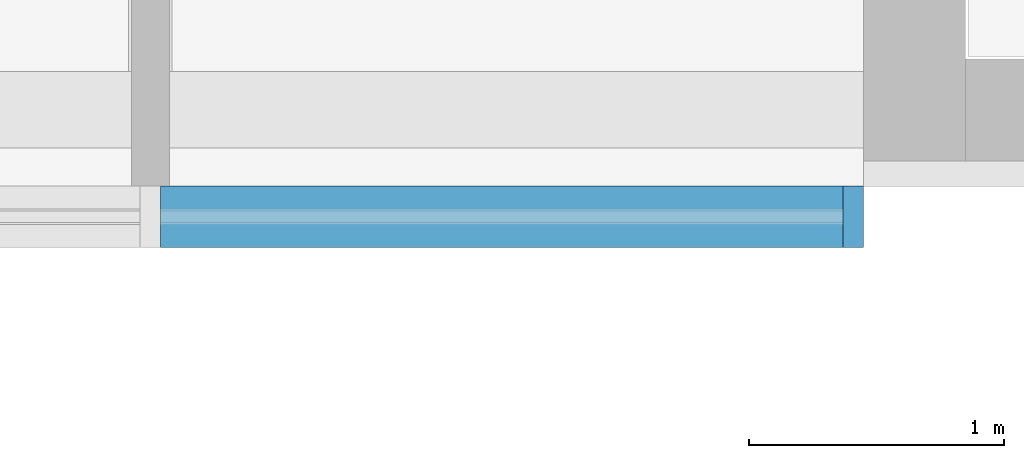
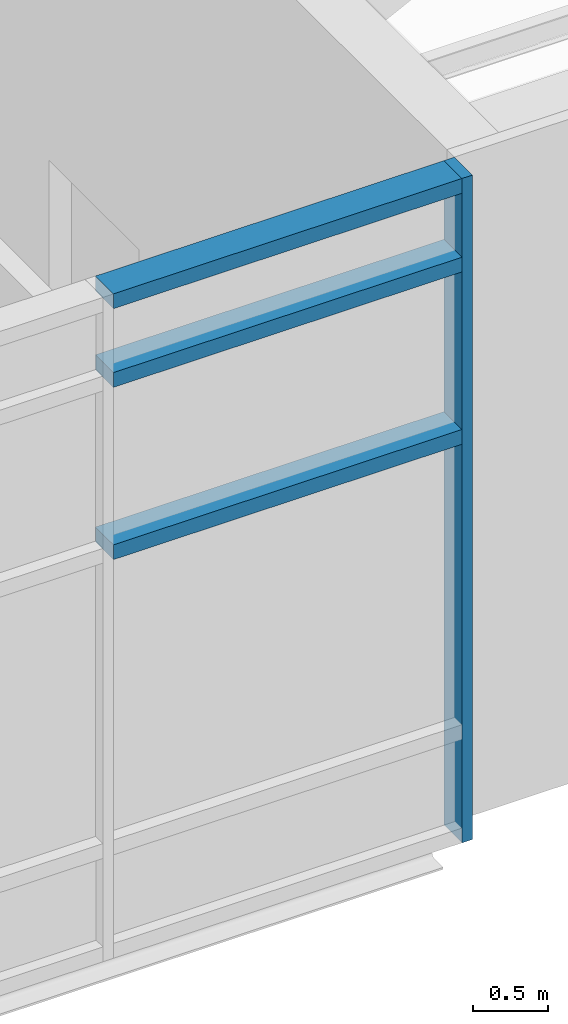
# One storey, part 13 of 56: 4 members, 1 element without a shape of its own.
"""IFC4 building model written with IfcOpenShell, lengths in metres."""

from ifc_helpers import new_model, si_unit, direction, frame, origin, origin_2d, place, context, subcontext, project, spatial, rectangle, extrude, material, material_profile, profile_set, type_object, element, aggregate, save


model = new_model("IFC4")

# Units and contexts
model_context = context("Model", 3, precision=1e-05, world=origin(), true_north=direction((0.0, 1.0)))
body_context = subcontext(model_context, "Body", "Model", "MODEL_VIEW")
ifc_project = project(units=[si_unit("LENGTHUNIT", "METRE"), si_unit("AREAUNIT", "SQUARE_METRE"), si_unit("VOLUMEUNIT", "CUBIC_METRE"), si_unit("PLANEANGLEUNIT", "RADIAN"), si_unit("MASSUNIT", "GRAM", prefix="KILO")], contexts=[model_context])

# Site, building, storey
site_placement = place(None, origin())
site = spatial("IfcSite", under=ifc_project, at=site_placement, CompositionType="ELEMENT")
building_placement = place(site_placement, origin())
building = spatial("IfcBuilding", under=site, at=building_placement, Name="Azimuth Sports and Learning Centre", CompositionType="ELEMENT")
storey_placement = place(building_placement, frame((0.0, 0.0, 5.39990234375)))
storey = spatial("IfcBuildingStorey", under=building, at=storey_placement, Name="L01", CompositionType="ELEMENT", Elevation=5.39990234375)

# Curtain wall, members
ifc_material_1 = material(Name="Aluminium and glass", Category="aluminium")
curtain_wall_type = type_object("IfcCurtainWallType", Name="Curtain wall podium wing 240", PredefinedType="NOTDEFINED", material=ifc_material_1)
curtain_wall_placement = place(storey_placement, origin())
curtain_wall = element("IfcCurtainWall", 1, at=curtain_wall_placement, inside=storey, type_object=curtain_wall_type, Name="Curtain wall CW01-002", PredefinedType="NOTDEFINED")
ifc_material_2 = material(Name="Aluminium", Category="aluminium")
ifc_material_profile_1 = material_profile(ifc_material_2, rectangle(XDim=0.239990234375, YDim=0.080078125, at=origin_2d()), Name="Mullion 80x240")
ifc_profile_set_1 = profile_set([ifc_material_profile_1], Name="Aluminium")
member_type_1 = type_object("IfcMemberType", Name="Mullion 80x240", PredefinedType="MULLION", material=ifc_profile_set_1)
member_1_placement = place(storey_placement, frame((53.760009765625, 89.580078125, 0.0), z_axis=(0.0, 0.0, 1.0), x_axis=(0.0, 1.0, 0.0)))
member_1 = element("IfcMember", 2, at=member_1_placement, type_object=member_type_1, Name="CW01-002 mullion 7", PredefinedType="MULLION", context=body_context, shape_type="SweptSolid", body=[
    extrude(rectangle(XDim=0.239990234375, YDim=0.080078125, at=origin_2d()), origin(), (0.0, 0.0, 1.0), 5.400146484375),
])
ifc_material_3 = material(Name="Aluminium", Category="aluminium")
ifc_material_profile_2 = material_profile(ifc_material_3, rectangle(XDim=0.239990234375, YDim=0.1201171875, at=origin_2d()), Name="Transom 120x240")
ifc_profile_set_2 = profile_set([ifc_material_profile_2], Name="Aluminium")
member_type_2 = type_object("IfcMemberType", Name="Transom 120x240", PredefinedType="USERDEFINED", material=ifc_profile_set_2)
member_2_placement = place(storey_placement, frame((51.0400390625, 89.580078125, 3.300048828125), z_axis=(1.0, 0.0, 0.0), x_axis=(0.0, 1.0, 0.0)))
member_2 = element("IfcMember", 3, at=member_2_placement, type_object=member_type_2, Name="CW01-002 transom 6.3", ObjectType="TRANSOM", PredefinedType="USERDEFINED", context=body_context, shape_type="SweptSolid", body=[
    extrude(rectangle(XDim=0.239990234375, YDim=0.1201171875, at=origin_2d()), origin(), (0.0, 0.0, 1.0), 2.679931640625),
])
member_3_placement = place(storey_placement, frame((51.0400390625, 89.580078125, 4.7001953125), z_axis=(1.0, 0.0, 0.0), x_axis=(0.0, 1.0, 0.0)))
member_3 = element("IfcMember", 4, at=member_3_placement, type_object=member_type_2, Name="CW01-002 transom 6.4", ObjectType="TRANSOM", PredefinedType="USERDEFINED", context=body_context, shape_type="SweptSolid", body=[
    extrude(rectangle(XDim=0.239990234375, YDim=0.1201171875, at=origin_2d()), origin(), (0.0, 0.0, 1.0), 2.679931640625),
])
member_4_placement = place(storey_placement, frame((51.0400390625, 89.580078125, 5.340087890625), z_axis=(1.0, 0.0, 0.0), x_axis=(0.0, 1.0, 0.0)))
member_4 = element("IfcMember", 5, at=member_4_placement, type_object=member_type_2, Name="CW01-002 transom 6.5", ObjectType="TRANSOM", PredefinedType="USERDEFINED", context=body_context, shape_type="SweptSolid", body=[
    extrude(rectangle(XDim=0.239990234375, YDim=0.1201171875, at=origin_2d()), origin(), (0.0, 0.0, 1.0), 2.679931640625),
])
aggregate(curtain_wall, [member_1, member_2, member_3, member_4])

save(model, "model.ifc")
